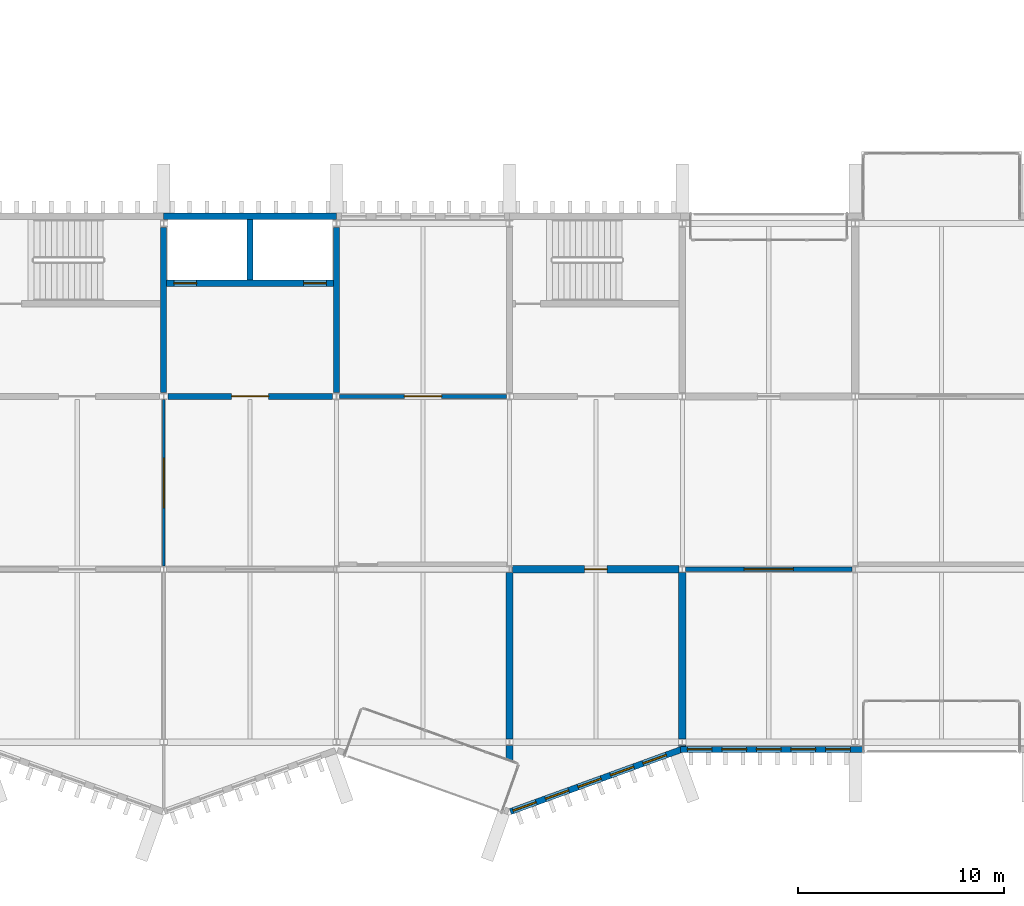
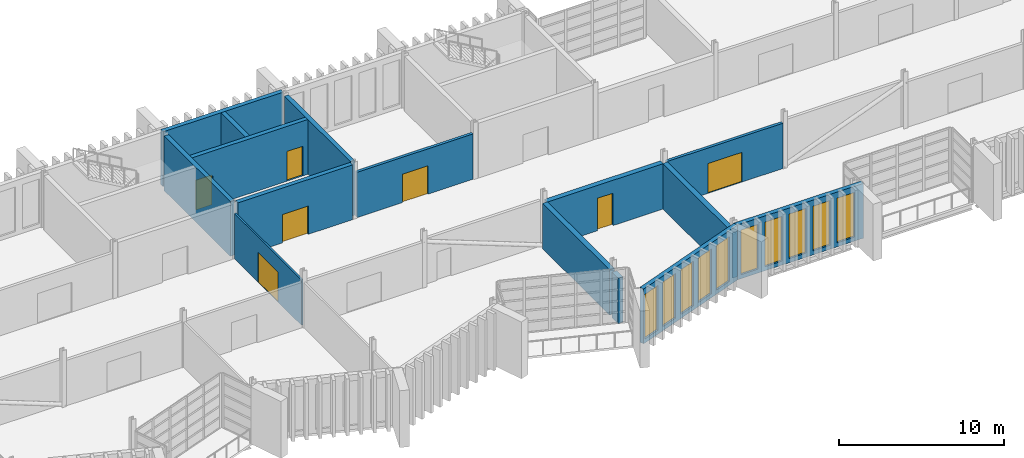
# One storey, part 61 of 100: 16 walls, 10 windows, 7 doors, 17 openings.
"""IFC4 building model written with IfcOpenShell, lengths in metres."""

from ifc_helpers import new_model, si_unit, direction, frame, frame_2d, origin, place, context, subcontext, project, spatial, rectangle, extrude, material, layer, layer_set, type_object, element, fill, save


model = new_model("IFC4")

# Units and contexts
model_context = context("Model", 3, precision=1e-05, world=origin(), true_north=direction((0.0, 1.0)))
body_context = subcontext(model_context, "Body", "Model", "MODEL_VIEW")
ifc_project = project(units=[si_unit("LENGTHUNIT", "METRE"), si_unit("AREAUNIT", "SQUARE_METRE"), si_unit("VOLUMEUNIT", "CUBIC_METRE"), si_unit("PLANEANGLEUNIT", "RADIAN"), si_unit("MASSUNIT", "GRAM", prefix="KILO")], contexts=[model_context])

# Site, building, storey
site_placement = place(None, origin())
site = spatial("IfcSite", under=ifc_project, at=site_placement, CompositionType="ELEMENT")
building_placement = place(site_placement, origin())
building = spatial("IfcBuilding", under=site, at=building_placement, Name="Cresset Court Congress Hotel", CompositionType="ELEMENT")
storey_placement = place(building_placement, frame((0.0, 0.0, 10.199951171875)))
storey = spatial("IfcBuildingStorey", under=building, at=storey_placement, Name="L02", CompositionType="ELEMENT", Elevation=10.199951171875)

# Wall, opening, door
ifc_material_1 = material(Name="Double gypsum board leaves on steel studs with mineral wool", Category="steel")
ifc_layer_1 = layer(ifc_material_1, 0.35009765625)
ifc_layer_set_1 = layer_set([ifc_layer_1], Name="Acoustic double-leaf boardroom wall 350")
wall_type_1 = type_object("IfcWallType", Name="Acoustic double-leaf boardroom wall 350", PredefinedType="PARTITIONING", material=ifc_layer_set_1)
wall_1_placement = place(storey_placement, frame((58.949951171875, 8.39990234375, 0.0), z_axis=(0.0, 0.0, 1.0), x_axis=(1.0, 0.0, 0.0)))
wall_1 = element("IfcWall", 1, at=wall_1_placement, inside=storey, type_object=wall_type_1, Name="Boardroom acoustic wall", PredefinedType="PARTITIONING", context=body_context, shape_type="SweptSolid", body=[
    extrude(rectangle(XDim=8.10009765625, YDim=0.35009765625, at=frame_2d((4.050048828125, 0.0))), origin(), (0.0, 0.0, 1.0), 3.35009765625),
])
opening_1_placement = place(wall_1_placement, frame((3.5, 0.0, 0.0)))
opening_1 = element("IfcOpeningElement", 2, at=opening_1_placement, cuts=wall_1, Name="Opening DB-02-06", PredefinedType="OPENING", context=body_context, shape_type="SweptSolid", body=[
    extrude(rectangle(XDim=1.10009765625, YDim=2.39990234375, at=frame_2d((0.550048828125, 1.199951171875))), frame((0.0, 0.18505859375, 0.0), z_axis=(0.0, -1.0, 0.0), x_axis=(1.0, 0.0, 0.0)), (0.0, 0.0, 1.0), 0.3701171875),
])
ifc_material_2 = material(Name="Solid-core timber with acoustic seals", Category="wood")
door_type_1 = type_object("IfcDoorType", Name="Boardroom acoustic door FD30 1100x2400", OperationType="SINGLE_SWING_LEFT", PredefinedType="DOOR", material=ifc_material_2)
door_1_placement = place(opening_1_placement, origin())
door_1 = element("IfcDoor", 3, at=door_1_placement, inside=storey, type_object=door_type_1, Name="Boardroom door", OperationType="SINGLE_SWING_LEFT", OverallHeight=2.39990234375, OverallWidth=1.10009765625, PredefinedType="DOOR", context=body_context, shape_type="SweptSolid", body=[
    extrude(rectangle(XDim=1.10009765625, YDim=2.39990234375, at=frame_2d((0.550048828125, 1.199951171875))), frame((0.0, 0.02490234375, 0.0), z_axis=(0.0, -1.0, 0.0), x_axis=(1.0, 0.0, 0.0)), (0.0, 0.0, 1.0), 0.050048828125),
])
fill(opening_1, door_1)

# Walls
wall_2_placement = place(storey_placement, frame((58.800048828125, -0.895263671875, 0.0), z_axis=(0.0, 0.0, 1.0), x_axis=(0.0, 1.0, 0.0)))
element("IfcWall", 4, at=wall_2_placement, inside=storey, type_object=wall_type_1, Name="Boardroom acoustic wall", PredefinedType="PARTITIONING", context=body_context, shape_type="SweptSolid", body=[
    extrude(rectangle(XDim=0.745361328125, YDim=0.35009765625, at=frame_2d((0.37255859375, 0.0))), origin(), (0.0, 0.0, 1.0), 3.35009765625),
])
wall_3_placement = place(storey_placement, frame((58.800048828125, 0.14990234375, 0.0), z_axis=(0.0, 0.0, 1.0), x_axis=(0.0, 1.0, 0.0)))
element("IfcWall", 5, at=wall_3_placement, inside=storey, type_object=wall_type_1, Name="Boardroom acoustic wall", PredefinedType="PARTITIONING", context=body_context, shape_type="SweptSolid", body=[
    extrude(rectangle(XDim=8.10009765625, YDim=0.35009765625, at=frame_2d((4.050048828125, 0.0))), origin(), (0.0, 0.0, 1.0), 3.35009765625),
])
wall_4_placement = place(storey_placement, frame((67.199951171875, -0.199951171875, 0.0), z_axis=(0.0, 0.0, 1.0), x_axis=(0.0, 1.0, 0.0)))
element("IfcWall", 6, at=wall_4_placement, inside=storey, type_object=wall_type_1, Name="Boardroom acoustic wall", PredefinedType="PARTITIONING", context=body_context, shape_type="SweptSolid", body=[
    extrude(rectangle(XDim=0.050048828125, YDim=0.35009765625, at=frame_2d((0.02490234375, 0.0))), origin(), (0.0, 0.0, 1.0), 3.35009765625),
])
wall_5_placement = place(storey_placement, frame((67.199951171875, 0.14990234375, 0.0), z_axis=(0.0, 0.0, 1.0), x_axis=(0.0, 1.0, 0.0)))
element("IfcWall", 7, at=wall_5_placement, inside=storey, type_object=wall_type_1, Name="Boardroom acoustic wall", PredefinedType="PARTITIONING", context=body_context, shape_type="SweptSolid", body=[
    extrude(rectangle(XDim=8.10009765625, YDim=0.35009765625, at=frame_2d((4.050048828125, 0.0))), origin(), (0.0, 0.0, 1.0), 3.35009765625),
])
ifc_material_3 = material(Name="Concrete C50", Category="concrete")
ifc_layer_2 = layer(ifc_material_3, 0.300048828125)
ifc_layer_set_2 = layer_set([ifc_layer_2], Name="Core wall 300 Concrete C50")
wall_type_2 = type_object("IfcWallType", Name="Core wall 300 Concrete C50", PredefinedType="SHEAR", material=ifc_layer_set_2)
for number, where, z_axis, x_axis, name in (
    (8, (42.0, 17.0, 0.0), (0.0, 0.0, 1.0), (0.0, 1.0, 0.0), "Core wall LC-B1"),
    (9, (50.39990234375, 17.0, 0.0), (0.0, 0.0, 1.0), (0.0, 1.0, 0.0), "Core wall LC-B1"),
):
    element("IfcWall", number, at=place(storey_placement, frame(where, z_axis=z_axis, x_axis=x_axis)), inside=storey, type_object=wall_type_2, Name=name, PredefinedType="SHEAR", context=body_context, shape_type="SweptSolid", body=[
        extrude(rectangle(XDim=8.0, YDim=0.300048828125, at=frame_2d((4.0, 0.0))), origin(), (0.0, 0.0, 1.0), 4.050048828125),
    ])

# Wall, opening, door
wall_6_placement = place(storey_placement, frame((42.199951171875, 16.800048828125, 0.0), z_axis=(0.0, 0.0, 1.0), x_axis=(1.0, 0.0, 0.0)))
wall_6 = element("IfcWall", 10, at=wall_6_placement, inside=storey, type_object=wall_type_2, Name="Core wall LC-B1", PredefinedType="SHEAR", context=body_context, shape_type="SweptSolid", body=[
    extrude(rectangle(XDim=8.0, YDim=0.300048828125, at=frame_2d((4.0, 0.0))), origin(), (0.0, 0.0, 1.0), 4.050048828125),
])
opening_2_placement = place(wall_6_placement, frame((3.10009765625, 0.0, 0.0)))
opening_2 = element("IfcOpeningElement", 11, at=opening_2_placement, cuts=wall_6, Name="Opening DB-02-32", PredefinedType="OPENING", context=body_context, shape_type="SweptSolid", body=[
    extrude(rectangle(XDim=1.800048828125, YDim=2.10009765625, at=frame_2d((0.89990234375, 1.050048828125))), frame((0.0, 0.159912109375, 0.0), z_axis=(0.0, -1.0, 0.0), x_axis=(1.0, 0.0, 0.0)), (0.0, 0.0, 1.0), 0.320068359375),
])
ifc_material_4 = material(Name="Timber and steel frame", Category="steel")
door_type_2 = type_object("IfcDoorType", Name="Lobby fire door FD60 double 1800x2100", OperationType="DOUBLE_DOOR_SINGLE_SWING", PredefinedType="DOOR", material=ifc_material_4)
door_2_placement = place(opening_2_placement, origin())
door_2 = element("IfcDoor", 12, at=door_2_placement, inside=storey, type_object=door_type_2, Name="Lift lobby door LC-B1", OperationType="DOUBLE_DOOR_SINGLE_SWING", OverallHeight=2.10009765625, OverallWidth=1.800048828125, PredefinedType="DOOR", context=body_context, shape_type="SweptSolid", body=[
    extrude(rectangle(XDim=1.800048828125, YDim=2.10009765625, at=frame_2d((0.89990234375, 1.050048828125))), frame((0.0, 0.02490234375, 0.0), z_axis=(0.0, -1.0, 0.0), x_axis=(1.0, 0.0, 0.0)), (0.0, 0.0, 1.0), 0.050048828125),
])
fill(opening_2, door_2)

# Wall, openings, doors
wall_7_placement = place(storey_placement, frame((42.14990234375, 22.300048828125, 0.0), z_axis=(0.0, 0.0, 1.0), x_axis=(1.0, 0.0, 0.0)))
wall_7 = element("IfcWall", 13, at=wall_7_placement, inside=storey, type_object=wall_type_2, Name="Core wall LC-B1", PredefinedType="SHEAR", context=body_context, shape_type="SweptSolid", body=[
    extrude(rectangle(XDim=8.10009765625, YDim=0.300048828125, at=frame_2d((4.050048828125, 0.0))), origin(), (0.0, 0.0, 1.0), 4.050048828125),
])
opening_3_placement = place(wall_7_placement, frame((0.35009765625, 0.0, 0.0)))
opening_3 = element("IfcOpeningElement", 14, at=opening_3_placement, cuts=wall_7, Name="Opening LD-B1-07", PredefinedType="OPENING", context=body_context, shape_type="SweptSolid", body=[
    extrude(rectangle(XDim=1.10009765625, YDim=2.199951171875, at=frame_2d((0.550048828125, 1.10009765625))), frame((0.0, 0.159912109375, 0.0), z_axis=(0.0, -1.0, 0.0), x_axis=(1.0, 0.0, 0.0)), (0.0, 0.0, 1.0), 0.320068359375),
])
opening_4_placement = place(wall_7_placement, frame((6.64990234375, 0.0, 0.0)))
opening_4 = element("IfcOpeningElement", 15, at=opening_4_placement, cuts=wall_7, Name="Opening LD-B1-08", PredefinedType="OPENING", context=body_context, shape_type="SweptSolid", body=[
    extrude(rectangle(XDim=1.10009765625, YDim=2.199951171875, at=frame_2d((0.550048828125, 1.10009765625))), frame((0.0, 0.159912109375, 0.0), z_axis=(0.0, -1.0, 0.0), x_axis=(1.0, 0.0, 0.0)), (0.0, 0.0, 1.0), 0.320068359375),
])
ifc_material_5 = material(Name="Stainless steel", Category="steel")
door_type_3 = type_object("IfcDoorType", Name="Lift landing door sliding 1100x2200", OperationType="SLIDING_TO_LEFT", PredefinedType="DOOR", material=ifc_material_5)
door_3_placement = place(opening_3_placement, origin())
door_3 = element("IfcDoor", 16, at=door_3_placement, inside=storey, type_object=door_type_3, Name="Lift landing door LD-B1-07", OperationType="SLIDING_TO_LEFT", OverallHeight=2.199951171875, OverallWidth=1.10009765625, PredefinedType="DOOR", context=body_context, shape_type="SweptSolid", body=[
    extrude(rectangle(XDim=1.10009765625, YDim=2.199951171875, at=frame_2d((0.550048828125, 1.10009765625))), frame((0.0, 0.02490234375, 0.0), z_axis=(0.0, -1.0, 0.0), x_axis=(1.0, 0.0, 0.0)), (0.0, 0.0, 1.0), 0.050048828125),
])
fill(opening_3, door_3)
door_4_placement = place(opening_4_placement, origin())
door_4 = element("IfcDoor", 17, at=door_4_placement, inside=storey, type_object=door_type_3, Name="Lift landing door LD-B1-08", OperationType="SLIDING_TO_LEFT", OverallHeight=2.199951171875, OverallWidth=1.10009765625, PredefinedType="DOOR", context=body_context, shape_type="SweptSolid", body=[
    extrude(rectangle(XDim=1.10009765625, YDim=2.199951171875, at=frame_2d((0.550048828125, 1.10009765625))), frame((0.0, 0.02490234375, 0.0), z_axis=(0.0, -1.0, 0.0), x_axis=(1.0, 0.0, 0.0)), (0.0, 0.0, 1.0), 0.050048828125),
])
fill(opening_4, door_4)

# Walls
wall_8_placement = place(storey_placement, frame((46.199951171875, 22.449951171875, 0.0), z_axis=(0.0, 0.0, 1.0), x_axis=(0.0, 1.0, 0.0)))
element("IfcWall", 18, at=wall_8_placement, inside=storey, type_object=wall_type_2, Name="Core wall LC-B1", PredefinedType="SHEAR", context=body_context, shape_type="SweptSolid", body=[
    extrude(rectangle(XDim=2.949951171875, YDim=0.300048828125, at=frame_2d((1.47509765625, 0.0))), origin(), (0.0, 0.0, 1.0), 4.050048828125),
])
ifc_material_6 = material(Name="Concrete C50", Category="concrete")
ifc_layer_3 = layer(ifc_material_6, 0.300048828125)
ifc_layer_set_3 = layer_set([ifc_layer_3], Name="Core wall 300 Concrete C50 external")
wall_type_3 = type_object("IfcWallType", Name="Core wall 300 Concrete C50 external", PredefinedType="SHEAR", material=ifc_layer_set_3)
wall_9_placement = place(storey_placement, frame((42.0, 25.550048828125, 0.0), z_axis=(0.0, 0.0, 1.0), x_axis=(1.0, 0.0, 0.0)))
element("IfcWall", 19, at=wall_9_placement, inside=storey, type_object=wall_type_3, Name="Core wall LC-B1", PredefinedType="SHEAR", context=body_context, shape_type="SweptSolid", body=[
    extrude(rectangle(XDim=8.39990234375, YDim=0.300048828125, at=frame_2d((4.199951171875, 0.0))), origin(), (0.0, 0.0, 1.0), 4.050048828125),
])

# Wall, openings, windows
ifc_material_7 = material(Name="Concrete C40", Category="concrete")
ifc_layer_4 = layer(ifc_material_7, 0.300048828125)
ifc_layer_set_4 = layer_set([ifc_layer_4], Name="External wall 300 Concrete C40")
wall_type_4 = type_object("IfcWallType", Name="External wall 300 Concrete C40", PredefinedType="SOLIDWALL", material=ifc_layer_set_4)
wall_10_placement = place(storey_placement, frame((67.10009765625, -0.35009765625, 0.0), z_axis=(0.0, 0.0, 1.0), x_axis=(1.0, 0.0, 0.0)))
wall_10 = element("IfcWall", 20, at=wall_10_placement, inside=storey, type_object=wall_type_4, Name="External wall", PredefinedType="SOLIDWALL", context=body_context, shape_type="SweptSolid", body=[
    extrude(rectangle(XDim=8.89990234375, YDim=0.300048828125, at=frame_2d((4.449951171875, 0.0))), origin(), (0.0, 0.0, 1.0), 4.050048828125),
])
opening_5_placement = place(wall_10_placement, frame((0.340087890625, 0.0, 0.300048828125)))
opening_5 = element("IfcOpeningElement", 21, at=opening_5_placement, cuts=wall_10, Name="Opening NB-02-01", PredefinedType="OPENING", context=body_context, shape_type="SweptSolid", body=[
    extrude(rectangle(XDim=1.199951171875, YDim=3.300048828125, at=frame_2d((0.60009765625, 1.64990234375))), frame((0.0, 0.159912109375, 0.0), z_axis=(0.0, -1.0, 0.0), x_axis=(1.0, 0.0, 0.0)), (0.0, 0.0, 1.0), 0.320068359375),
])
opening_6_placement = place(wall_10_placement, frame((2.02001953125, 0.0, 0.300048828125)))
opening_6 = element("IfcOpeningElement", 22, at=opening_6_placement, cuts=wall_10, Name="Opening NB-02-02", PredefinedType="OPENING", context=body_context, shape_type="SweptSolid", body=[
    extrude(rectangle(XDim=1.199951171875, YDim=3.300048828125, at=frame_2d((0.60009765625, 1.64990234375))), frame((0.0, 0.159912109375, 0.0), z_axis=(0.0, -1.0, 0.0), x_axis=(1.0, 0.0, 0.0)), (0.0, 0.0, 1.0), 0.320068359375),
])
opening_7_placement = place(wall_10_placement, frame((3.699951171875, 0.0, 0.300048828125)))
opening_7 = element("IfcOpeningElement", 23, at=opening_7_placement, cuts=wall_10, Name="Opening NB-02-03", PredefinedType="OPENING", context=body_context, shape_type="SweptSolid", body=[
    extrude(rectangle(XDim=1.199951171875, YDim=3.300048828125, at=frame_2d((0.60009765625, 1.64990234375))), frame((0.0, 0.159912109375, 0.0), z_axis=(0.0, -1.0, 0.0), x_axis=(1.0, 0.0, 0.0)), (0.0, 0.0, 1.0), 0.320068359375),
])
opening_8_placement = place(wall_10_placement, frame((5.3798828125, 0.0, 0.300048828125)))
opening_8 = element("IfcOpeningElement", 24, at=opening_8_placement, cuts=wall_10, Name="Opening NB-02-04", PredefinedType="OPENING", context=body_context, shape_type="SweptSolid", body=[
    extrude(rectangle(XDim=1.199951171875, YDim=3.300048828125, at=frame_2d((0.60009765625, 1.64990234375))), frame((0.0, 0.159912109375, 0.0), z_axis=(0.0, -1.0, 0.0), x_axis=(1.0, 0.0, 0.0)), (0.0, 0.0, 1.0), 0.320068359375),
])
opening_9_placement = place(wall_10_placement, frame((7.06005859375, 0.0, 0.300048828125)))
opening_9 = element("IfcOpeningElement", 25, at=opening_9_placement, cuts=wall_10, Name="Opening NB-02-05", PredefinedType="OPENING", context=body_context, shape_type="SweptSolid", body=[
    extrude(rectangle(XDim=1.199951171875, YDim=3.300048828125, at=frame_2d((0.60009765625, 1.64990234375))), frame((0.0, 0.159912109375, 0.0), z_axis=(0.0, -1.0, 0.0), x_axis=(1.0, 0.0, 0.0)), (0.0, 0.0, 1.0), 0.320068359375),
])
ifc_material_8 = material(Name="Aluminium frame with double glazing", Category="aluminium")
window_type = type_object("IfcWindowType", Name="Window 1200x3300", PartitioningType="TRIPLE_PANEL_VERTICAL", PredefinedType="WINDOW", material=ifc_material_8)
window_1_placement = place(opening_5_placement, origin())
window_1 = element("IfcWindow", 26, at=window_1_placement, inside=storey, type_object=window_type, Name="Window NB-02-01", OverallHeight=3.300048828125, OverallWidth=1.199951171875, PartitioningType="TRIPLE_PANEL_VERTICAL", PredefinedType="WINDOW", context=body_context, shape_type="SweptSolid", body=[
    extrude(rectangle(XDim=1.199951171875, YDim=3.300048828125, at=frame_2d((0.60009765625, 1.64990234375))), frame((0.0, 0.030029296875, 0.0), z_axis=(0.0, -1.0, 0.0), x_axis=(1.0, 0.0, 0.0)), (0.0, 0.0, 1.0), 0.06005859375),
])
fill(opening_5, window_1)
window_2_placement = place(opening_6_placement, origin())
window_2 = element("IfcWindow", 27, at=window_2_placement, inside=storey, type_object=window_type, Name="Window NB-02-02", OverallHeight=3.300048828125, OverallWidth=1.199951171875, PartitioningType="TRIPLE_PANEL_VERTICAL", PredefinedType="WINDOW", context=body_context, shape_type="SweptSolid", body=[
    extrude(rectangle(XDim=1.199951171875, YDim=3.300048828125, at=frame_2d((0.60009765625, 1.64990234375))), frame((0.0, 0.030029296875, 0.0), z_axis=(0.0, -1.0, 0.0), x_axis=(1.0, 0.0, 0.0)), (0.0, 0.0, 1.0), 0.06005859375),
])
fill(opening_6, window_2)
window_3_placement = place(opening_7_placement, origin())
window_3 = element("IfcWindow", 28, at=window_3_placement, inside=storey, type_object=window_type, Name="Window NB-02-03", OverallHeight=3.300048828125, OverallWidth=1.199951171875, PartitioningType="TRIPLE_PANEL_VERTICAL", PredefinedType="WINDOW", context=body_context, shape_type="SweptSolid", body=[
    extrude(rectangle(XDim=1.199951171875, YDim=3.300048828125, at=frame_2d((0.60009765625, 1.64990234375))), frame((0.0, 0.030029296875, 0.0), z_axis=(0.0, -1.0, 0.0), x_axis=(1.0, 0.0, 0.0)), (0.0, 0.0, 1.0), 0.06005859375),
])
fill(opening_7, window_3)
window_4_placement = place(opening_8_placement, origin())
window_4 = element("IfcWindow", 29, at=window_4_placement, inside=storey, type_object=window_type, Name="Window NB-02-04", OverallHeight=3.300048828125, OverallWidth=1.199951171875, PartitioningType="TRIPLE_PANEL_VERTICAL", PredefinedType="WINDOW", context=body_context, shape_type="SweptSolid", body=[
    extrude(rectangle(XDim=1.199951171875, YDim=3.300048828125, at=frame_2d((0.60009765625, 1.64990234375))), frame((0.0, 0.030029296875, 0.0), z_axis=(0.0, -1.0, 0.0), x_axis=(1.0, 0.0, 0.0)), (0.0, 0.0, 1.0), 0.06005859375),
])
fill(opening_8, window_4)
window_5_placement = place(opening_9_placement, origin())
window_5 = element("IfcWindow", 30, at=window_5_placement, inside=storey, type_object=window_type, Name="Window NB-02-05", OverallHeight=3.300048828125, OverallWidth=1.199951171875, PartitioningType="TRIPLE_PANEL_VERTICAL", PredefinedType="WINDOW", context=body_context, shape_type="SweptSolid", body=[
    extrude(rectangle(XDim=1.199951171875, YDim=3.300048828125, at=frame_2d((0.60009765625, 1.64990234375))), frame((0.0, 0.030029296875, 0.0), z_axis=(0.0, -1.0, 0.0), x_axis=(1.0, 0.0, 0.0)), (0.0, 0.0, 1.0), 0.06005859375),
])
fill(opening_9, window_5)

wall_11_placement = place(storey_placement, frame((58.850341796875, -3.3720703125, 0.0), z_axis=(0.0, 0.0, 1.0), x_axis=(0.939953187971, 0.341303390584, 0.0)))
wall_11 = element("IfcWall", 31, at=wall_11_placement, inside=storey, type_object=wall_type_4, Name="External wall", PredefinedType="SOLIDWALL", context=body_context, shape_type="SweptSolid", body=[
    extrude(rectangle(XDim=8.828369140625, YDim=0.300048828125, at=frame_2d((4.4140625, 0.0))), origin(), (0.0, 0.0, 1.0), 4.050048828125),
])
opening_10_placement = place(wall_11_placement, frame((0.132080078125, 0.0, 0.300048828125)))
opening_10 = element("IfcOpeningElement", 32, at=opening_10_placement, cuts=wall_11, Name="Opening NB-02-29", PredefinedType="OPENING", context=body_context, shape_type="SweptSolid", body=[
    extrude(rectangle(XDim=1.199951171875, YDim=3.300048828125, at=frame_2d((0.60009765625, 1.64990234375))), frame((0.0, 0.159912109375, 0.0), z_axis=(0.0, -1.0, 0.0), x_axis=(1.0, 0.0, 0.0)), (0.0, 0.0, 1.0), 0.320068359375),
])
opening_11_placement = place(wall_11_placement, frame((1.81201171875, 0.0, 0.300048828125)))
opening_11 = element("IfcOpeningElement", 33, at=opening_11_placement, cuts=wall_11, Name="Opening NB-02-30", PredefinedType="OPENING", context=body_context, shape_type="SweptSolid", body=[
    extrude(rectangle(XDim=1.199951171875, YDim=3.300048828125, at=frame_2d((0.60009765625, 1.64990234375))), frame((0.0, 0.159912109375, 0.0), z_axis=(0.0, -1.0, 0.0), x_axis=(1.0, 0.0, 0.0)), (0.0, 0.0, 1.0), 0.320068359375),
])
opening_12_placement = place(wall_11_placement, frame((3.491943359375, 0.0, 0.300048828125)))
opening_12 = element("IfcOpeningElement", 34, at=opening_12_placement, cuts=wall_11, Name="Opening NB-02-31", PredefinedType="OPENING", context=body_context, shape_type="SweptSolid", body=[
    extrude(rectangle(XDim=1.199951171875, YDim=3.300048828125, at=frame_2d((0.60009765625, 1.64990234375))), frame((0.0, 0.159912109375, 0.0), z_axis=(0.0, -1.0, 0.0), x_axis=(1.0, 0.0, 0.0)), (0.0, 0.0, 1.0), 0.320068359375),
])
opening_13_placement = place(wall_11_placement, frame((5.172119140625, 0.0, 0.300048828125)))
opening_13 = element("IfcOpeningElement", 35, at=opening_13_placement, cuts=wall_11, Name="Opening NB-02-32", PredefinedType="OPENING", context=body_context, shape_type="SweptSolid", body=[
    extrude(rectangle(XDim=1.199951171875, YDim=3.300048828125, at=frame_2d((0.60009765625, 1.64990234375))), frame((0.0, 0.159912109375, 0.0), z_axis=(0.0, -1.0, 0.0), x_axis=(1.0, 0.0, 0.0)), (0.0, 0.0, 1.0), 0.320068359375),
])
opening_14_placement = place(wall_11_placement, frame((6.85205078125, 0.0, 0.300048828125)))
opening_14 = element("IfcOpeningElement", 36, at=opening_14_placement, cuts=wall_11, Name="Opening NB-02-33", PredefinedType="OPENING", context=body_context, shape_type="SweptSolid", body=[
    extrude(rectangle(XDim=1.199951171875, YDim=3.300048828125, at=frame_2d((0.60009765625, 1.64990234375))), frame((0.0, 0.159912109375, 0.0), z_axis=(0.0, -1.0, 0.0), x_axis=(1.0, 0.0, 0.0)), (0.0, 0.0, 1.0), 0.320068359375),
])
window_6_placement = place(opening_10_placement, origin())
window_6 = element("IfcWindow", 37, at=window_6_placement, inside=storey, type_object=window_type, Name="Window NB-02-29", OverallHeight=3.300048828125, OverallWidth=1.199951171875, PartitioningType="TRIPLE_PANEL_VERTICAL", PredefinedType="WINDOW", context=body_context, shape_type="SweptSolid", body=[
    extrude(rectangle(XDim=1.199951171875, YDim=3.300048828125, at=frame_2d((0.60009765625, 1.64990234375))), frame((0.0, 0.030029296875, 0.0), z_axis=(0.0, -1.0, 0.0), x_axis=(1.0, 0.0, 0.0)), (0.0, 0.0, 1.0), 0.06005859375),
])
fill(opening_10, window_6)
window_7_placement = place(opening_11_placement, origin())
window_7 = element("IfcWindow", 38, at=window_7_placement, inside=storey, type_object=window_type, Name="Window NB-02-30", OverallHeight=3.300048828125, OverallWidth=1.199951171875, PartitioningType="TRIPLE_PANEL_VERTICAL", PredefinedType="WINDOW", context=body_context, shape_type="SweptSolid", body=[
    extrude(rectangle(XDim=1.199951171875, YDim=3.300048828125, at=frame_2d((0.60009765625, 1.64990234375))), frame((0.0, 0.030029296875, 0.0), z_axis=(0.0, -1.0, 0.0), x_axis=(1.0, 0.0, 0.0)), (0.0, 0.0, 1.0), 0.06005859375),
])
fill(opening_11, window_7)
window_8_placement = place(opening_12_placement, origin())
window_8 = element("IfcWindow", 39, at=window_8_placement, inside=storey, type_object=window_type, Name="Window NB-02-31", OverallHeight=3.300048828125, OverallWidth=1.199951171875, PartitioningType="TRIPLE_PANEL_VERTICAL", PredefinedType="WINDOW", context=body_context, shape_type="SweptSolid", body=[
    extrude(rectangle(XDim=1.199951171875, YDim=3.300048828125, at=frame_2d((0.60009765625, 1.64990234375))), frame((0.0, 0.030029296875, 0.0), z_axis=(0.0, -1.0, 0.0), x_axis=(1.0, 0.0, 0.0)), (0.0, 0.0, 1.0), 0.06005859375),
])
fill(opening_12, window_8)
window_9_placement = place(opening_13_placement, origin())
window_9 = element("IfcWindow", 40, at=window_9_placement, inside=storey, type_object=window_type, Name="Window NB-02-32", OverallHeight=3.300048828125, OverallWidth=1.199951171875, PartitioningType="TRIPLE_PANEL_VERTICAL", PredefinedType="WINDOW", context=body_context, shape_type="SweptSolid", body=[
    extrude(rectangle(XDim=1.199951171875, YDim=3.300048828125, at=frame_2d((0.60009765625, 1.64990234375))), frame((0.0, 0.030029296875, 0.0), z_axis=(0.0, -1.0, 0.0), x_axis=(1.0, 0.0, 0.0)), (0.0, 0.0, 1.0), 0.06005859375),
])
fill(opening_13, window_9)
window_10_placement = place(opening_14_placement, origin())
window_10 = element("IfcWindow", 41, at=window_10_placement, inside=storey, type_object=window_type, Name="Window NB-02-33", OverallHeight=3.300048828125, OverallWidth=1.199951171875, PartitioningType="TRIPLE_PANEL_VERTICAL", PredefinedType="WINDOW", context=body_context, shape_type="SweptSolid", body=[
    extrude(rectangle(XDim=1.199951171875, YDim=3.300048828125, at=frame_2d((0.60009765625, 1.64990234375))), frame((0.0, 0.030029296875, 0.0), z_axis=(0.0, -1.0, 0.0), x_axis=(1.0, 0.0, 0.0)), (0.0, 0.0, 1.0), 0.06005859375),
])
fill(opening_14, window_10)

# Wall, opening, door
ifc_material_9 = material(Name="Gypsum board on steel studs", Category="steel")
ifc_layer_5 = layer(ifc_material_9, 0.199951171875)
ifc_layer_set_5 = layer_set([ifc_layer_5], Name="Foyer wall 200")
wall_type_5 = type_object("IfcWallType", Name="Foyer wall 200", PredefinedType="PARTITIONING", material=ifc_layer_set_5)
wall_12_placement = place(storey_placement, frame((67.35009765625, 8.39990234375, 0.0), z_axis=(0.0, 0.0, 1.0), x_axis=(1.0, 0.0, 0.0)))
wall_12 = element("IfcWall", 42, at=wall_12_placement, inside=storey, type_object=wall_type_5, Name="Foyer wall", PredefinedType="PARTITIONING", context=body_context, shape_type="SweptSolid", body=[
    extrude(rectangle(XDim=8.099853515625, YDim=0.199951171875, at=frame_2d((4.0498046875, 0.0))), origin(), (0.0, 0.0, 1.0), 3.35009765625),
])
opening_15_placement = place(wall_12_placement, frame((2.85009765625, 0.0, 0.0)))
opening_15 = element("IfcOpeningElement", 43, at=opening_15_placement, cuts=wall_12, Name="Opening DB-02-07", PredefinedType="OPENING", context=body_context, shape_type="SweptSolid", body=[
    extrude(rectangle(XDim=2.39990234375, YDim=2.199951171875, at=frame_2d((1.199951171875, 1.10009765625))), frame((0.0, 0.10986328125, 0.0), z_axis=(0.0, -1.0, 0.0), x_axis=(1.0, 0.0, 0.0)), (0.0, 0.0, 1.0), 0.219970703125),
])
ifc_material_10 = material(Name="Timber and steel frame", Category="steel")
door_type_4 = type_object("IfcDoorType", Name="Fire door FD30 double 2400x2200", OperationType="DOUBLE_DOOR_SINGLE_SWING", PredefinedType="DOOR", material=ifc_material_10)
door_5_placement = place(opening_15_placement, origin())
door_5 = element("IfcDoor", 44, at=door_5_placement, inside=storey, type_object=door_type_4, Name="Meeting Room door", OperationType="DOUBLE_DOOR_SINGLE_SWING", OverallHeight=2.199951171875, OverallWidth=2.39990234375, PredefinedType="DOOR", context=body_context, shape_type="SweptSolid", body=[
    extrude(rectangle(XDim=2.39990234375, YDim=2.199951171875, at=frame_2d((1.199951171875, 1.10009765625))), frame((0.0, 0.02490234375, 0.0), z_axis=(0.0, -1.0, 0.0), x_axis=(1.0, 0.0, 0.0)), (0.0, 0.0, 1.0), 0.050048828125),
])
fill(opening_15, door_5)

wall_13_placement = place(storey_placement, frame((50.550048828125, 16.800048828125, 0.0), z_axis=(0.0, 0.0, 1.0), x_axis=(1.0, 0.0, 0.0)))
wall_13 = element("IfcWall", 45, at=wall_13_placement, inside=storey, type_object=wall_type_5, Name="Foyer wall", PredefinedType="PARTITIONING", context=body_context, shape_type="SweptSolid", body=[
    extrude(rectangle(XDim=8.099853515625, YDim=0.199951171875, at=frame_2d((4.0498046875, 0.0))), origin(), (0.0, 0.0, 1.0), 3.35009765625),
])
opening_16_placement = place(wall_13_placement, frame((3.14990234375, 0.0, 0.0)))
opening_16 = element("IfcOpeningElement", 46, at=opening_16_placement, cuts=wall_13, Name="Opening DB-02-19", PredefinedType="OPENING", context=body_context, shape_type="SweptSolid", body=[
    extrude(rectangle(XDim=1.800048828125, YDim=2.10009765625, at=frame_2d((0.89990234375, 1.050048828125))), frame((0.0, 0.10986328125, 0.0), z_axis=(0.0, -1.0, 0.0), x_axis=(1.0, 0.0, 0.0)), (0.0, 0.0, 1.0), 0.219970703125),
])
ifc_material_11 = material(Name="Timber and steel frame", Category="steel")
door_type_5 = type_object("IfcDoorType", Name="Fire door FD30 double 1800x2100", OperationType="DOUBLE_DOOR_SINGLE_SWING", PredefinedType="DOOR", material=ifc_material_11)
door_6_placement = place(opening_16_placement, origin())
door_6 = element("IfcDoor", 47, at=door_6_placement, inside=storey, type_object=door_type_5, Name="Meeting Room door", OperationType="DOUBLE_DOOR_SINGLE_SWING", OverallHeight=2.10009765625, OverallWidth=1.800048828125, PredefinedType="DOOR", context=body_context, shape_type="SweptSolid", body=[
    extrude(rectangle(XDim=1.800048828125, YDim=2.10009765625, at=frame_2d((0.89990234375, 1.050048828125))), frame((0.0, 0.02490234375, 0.0), z_axis=(0.0, -1.0, 0.0), x_axis=(1.0, 0.0, 0.0)), (0.0, 0.0, 1.0), 0.050048828125),
])
fill(opening_16, door_6)

ifc_material_12 = material(Name="Fire-resisting glazed screen")
ifc_layer_6 = layer(ifc_material_12, 0.125)
ifc_layer_set_6 = layer_set([ifc_layer_6], Name="Glazed fire screen 125")
wall_type_6 = type_object("IfcWallType", Name="Glazed fire screen 125", PredefinedType="PARTITIONING", material=ifc_layer_set_6)
wall_14_placement = place(storey_placement, frame((42.0, 8.550048828125, 0.0), z_axis=(0.0, 0.0, 1.0), x_axis=(0.0, 1.0, 0.0)))
wall_14 = element("IfcWall", 48, at=wall_14_placement, inside=storey, type_object=wall_type_6, Name="Glazed fire screen", PredefinedType="PARTITIONING", context=body_context, shape_type="SweptSolid", body=[
    extrude(rectangle(XDim=8.099853515625, YDim=0.125, at=frame_2d((4.0498046875, 0.0))), origin(), (0.0, 0.0, 1.0), 3.35009765625),
])
opening_17_placement = place(wall_14_placement, frame((2.85009765625, 0.0, 0.0)))
opening_17 = element("IfcOpeningElement", 49, at=opening_17_placement, cuts=wall_14, Name="Opening DB-02-30", PredefinedType="OPENING", context=body_context, shape_type="SweptSolid", body=[
    extrude(rectangle(XDim=2.39990234375, YDim=2.199951171875, at=frame_2d((1.199951171875, 1.10009765625))), frame((0.0, 0.072509765625, 0.0), z_axis=(0.0, -1.0, 0.0), x_axis=(1.0, 0.0, 0.0)), (0.0, 0.0, 1.0), 0.14501953125),
])
ifc_material_13 = material(Name="Fire-resisting glazing in steel frame", Category="steel")
door_type_6 = type_object("IfcDoorType", Name="Smoke door glazed double 2400x2200", OperationType="DOUBLE_DOOR_SINGLE_SWING", PredefinedType="DOOR", material=ifc_material_13)
door_7_placement = place(opening_17_placement, origin())
door_7 = element("IfcDoor", 50, at=door_7_placement, inside=storey, type_object=door_type_6, Name="Foyer screen door", OperationType="DOUBLE_DOOR_SINGLE_SWING", OverallHeight=2.199951171875, OverallWidth=2.39990234375, PredefinedType="DOOR", context=body_context, shape_type="SweptSolid", body=[
    extrude(rectangle(XDim=2.39990234375, YDim=2.199951171875, at=frame_2d((1.199951171875, 1.10009765625))), frame((0.0, 0.02490234375, 0.0), z_axis=(0.0, -1.0, 0.0), x_axis=(1.0, 0.0, 0.0)), (0.0, 0.0, 1.0), 0.050048828125),
])
fill(opening_17, door_7)

save(model, "model.ifc")
